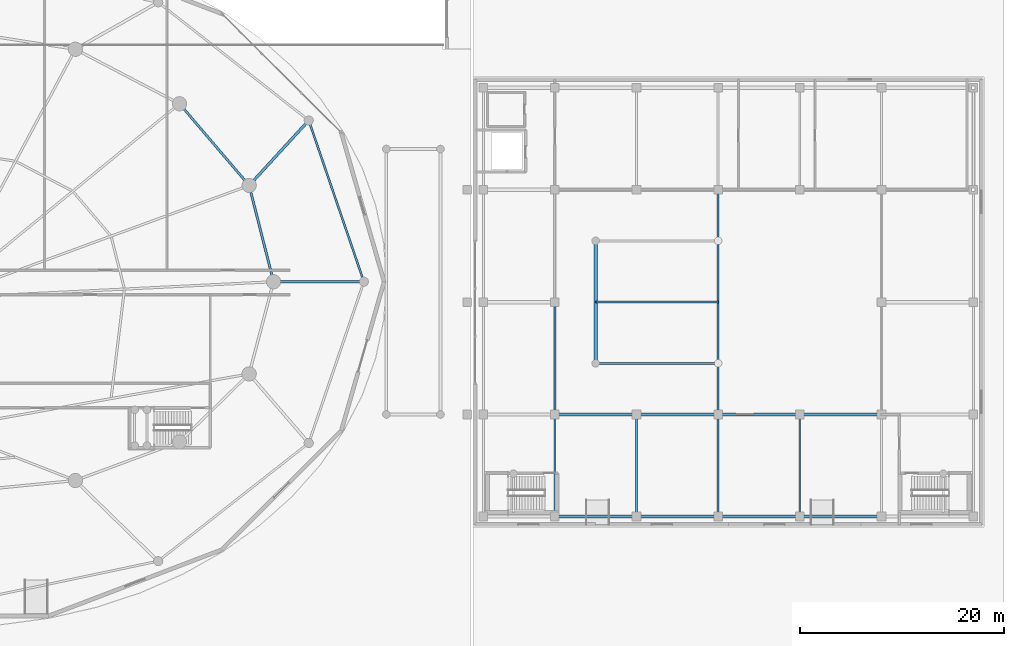
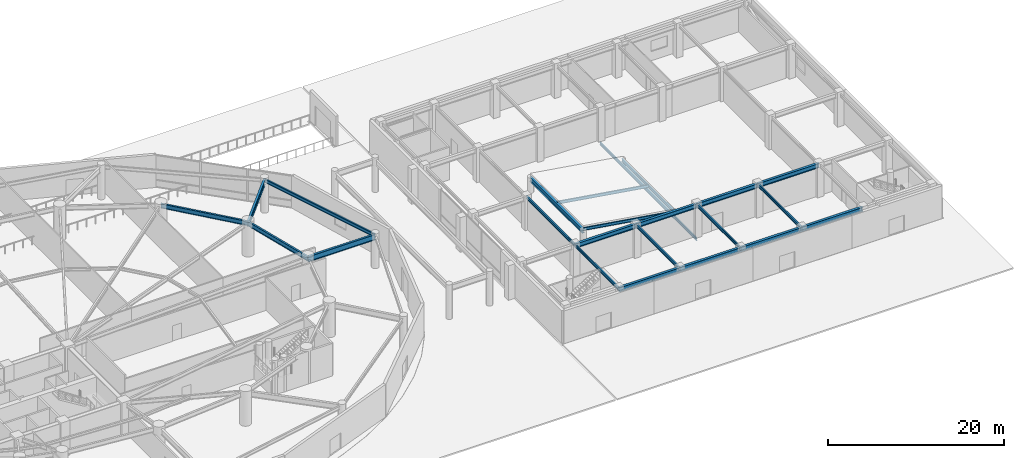
# One storey, part 11 of 35: 23 beams.
"""IFC4 building model written with IfcOpenShell, lengths in metres."""

from ifc_helpers import new_model, si_unit, direction, frame, origin, origin_2d, place, context, subcontext, project, spatial, i_section, extrude, material, material_profile, profile_set, type_object, element, save


model = new_model("IFC4")

# Units and contexts
model_context = context("Model", 3, precision=1e-05, world=origin(), true_north=direction((0.0, 1.0)))
body_context = subcontext(model_context, "Body", "Model", "MODEL_VIEW")
ifc_project = project(units=[si_unit("LENGTHUNIT", "METRE"), si_unit("AREAUNIT", "SQUARE_METRE"), si_unit("VOLUMEUNIT", "CUBIC_METRE"), si_unit("PLANEANGLEUNIT", "RADIAN"), si_unit("MASSUNIT", "GRAM", prefix="KILO")], contexts=[model_context])

# Site, building, storey
site_placement = place(None, origin())
site = spatial("IfcSite", under=ifc_project, at=site_placement, CompositionType="ELEMENT")
building_placement = place(site_placement, origin())
building = spatial("IfcBuilding", under=site, at=building_placement, Name="Kazevale Care Tower and Concert Hall", CompositionType="ELEMENT")
storey_placement = place(building_placement, origin())
storey = spatial("IfcBuildingStorey", under=building, at=storey_placement, Name="L00", CompositionType="ELEMENT", Elevation=0.0)

# Beams
ifc_material = material(Name="Steel ASTM A572 Gr 50", Category="steel")
ifc_material_profile_1 = material_profile(ifc_material, i_section(OverallWidth=0.177978515625, OverallDepth=0.406982421875, WebThickness=0.0078125, FlangeThickness=0.0126953125, at=origin_2d()), Name="W410x60")
ifc_profile_set_1 = profile_set([ifc_material_profile_1], Name="Steel ASTM A572 Gr 50")
beam_type_1 = type_object("IfcBeamType", Name="Auditorium Raker Beam W410x60", PredefinedType="BEAM", material=ifc_profile_set_1)
beam_1_placement = place(storey_placement, frame((120.0, 30.0, 0.22998046875), z_axis=(0.0, 1.0, 0.0), x_axis=(-1.0, 0.0, 0.0)))
element("IfcBeam", 1, at=beam_1_placement, inside=storey, type_object=beam_type_1, Name="beam:L00:raker_front_hdr", PredefinedType="BEAM", context=body_context, shape_type="SweptSolid", body=[
    extrude(i_section(OverallWidth=0.177978515625, OverallDepth=0.406982421875, WebThickness=0.0078125, FlangeThickness=0.0126953125, at=origin_2d()), origin(), (0.0, 0.0, 1.0), 12.0),
])
for number, where, z_axis, x_axis, name in (
    (2, (108.0, 30.0, 2.10009765625), (0.988073278669, 0.0, -0.153984401746), (0.0, 1.0, 0.0), "beam:L00:raker:30"),
    (3, (108.0, 36.0, 2.10009765625), (0.988073278669, 0.0, -0.153984401746), (0.0, 1.0, 0.0), "beam:L00:raker:36"),
):
    element("IfcBeam", number, at=place(storey_placement, frame(where, z_axis=z_axis, x_axis=x_axis)), inside=storey, type_object=beam_type_1, Name=name, PredefinedType="BEAM", context=body_context, shape_type="SweptSolid", body=[
        extrude(i_section(OverallWidth=0.177978515625, OverallDepth=0.406982421875, WebThickness=0.0078125, FlangeThickness=0.0126953125, at=origin_2d()), origin(), (0.0, 0.0, 1.0), 12.144775390625),
    ])
ifc_material_profile_2 = material_profile(ifc_material, i_section(OverallWidth=0.323974609375, OverallDepth=0.611083984375, WebThickness=0.0126953125, FlangeThickness=0.01904296875, at=origin_2d()), Name="W610x155")
ifc_profile_set_2 = profile_set([ifc_material_profile_2], Name="Steel ASTM A572 Gr 50")
beam_type_2 = type_object("IfcBeamType", Name="Concert Hall Frame Girder W610x155", PredefinedType="BEAM", material=ifc_profile_set_2)
for number, where, z_axis, x_axis, name in (
    (4, (104.0, 15.0, 4.214599609375), (1.0, 0.0, 0.0), (0.0, 1.0, 0.0), "beam:L00:hx:104_15"),
    (5, (112.0, 15.0, 4.214599609375), (1.0, 0.0, 0.0), (0.0, 1.0, 0.0), "beam:L00:hx:112_15"),
    (6, (120.0, 15.0, 4.214599609375), (1.0, 0.0, 0.0), (0.0, 1.0, 0.0), "beam:L00:hx:120_15"),
    (7, (128.0, 15.0, 4.214599609375), (1.0, 0.0, 0.0), (0.0, 1.0, 0.0), "beam:L00:hx:128_15"),
    (8, (104.0, 25.0, 4.214599609375), (1.0, 0.0, 0.0), (0.0, 1.0, 0.0), "beam:L00:hx:104_25"),
    (9, (112.0, 25.0, 4.214599609375), (1.0, 0.0, 0.0), (0.0, 1.0, 0.0), "beam:L00:hx:112_25"),
    (10, (120.0, 25.0, 4.214599609375), (1.0, 0.0, 0.0), (0.0, 1.0, 0.0), "beam:L00:hx:120_25"),
    (11, (128.0, 25.0, 4.214599609375), (1.0, 0.0, 0.0), (0.0, 1.0, 0.0), "beam:L00:hx:128_25"),
):
    element("IfcBeam", number, at=place(storey_placement, frame(where, z_axis=z_axis, x_axis=x_axis)), inside=storey, type_object=beam_type_2, Name=name, PredefinedType="BEAM", context=body_context, shape_type="SweptSolid", body=[
        extrude(i_section(OverallWidth=0.323974609375, OverallDepth=0.611083984375, WebThickness=0.0126953125, FlangeThickness=0.01904296875, at=origin_2d()), origin(), (0.0, 0.0, 1.0), 8.0),
    ])
beam_2_placement = place(storey_placement, frame((108.0, 30.0, 1.820068359375), z_axis=(0.0, 1.0, 0.0), x_axis=(-1.0, 0.0, 0.0)))
element("IfcBeam", 12, at=beam_2_placement, inside=storey, type_object=beam_type_2, Name="beam:L00:raker_hdr", PredefinedType="BEAM", context=body_context, shape_type="SweptSolid", body=[
    extrude(i_section(OverallWidth=0.323974609375, OverallDepth=0.611083984375, WebThickness=0.0126953125, FlangeThickness=0.01904296875, at=origin_2d()), origin(), (0.0, 0.0, 1.0), 12.0),
])
ifc_material_profile_3 = material_profile(ifc_material, i_section(OverallWidth=0.180908203125, OverallDepth=0.4169921875, WebThickness=0.010986328125, FlangeThickness=0.018310546875, at=origin_2d()), Name="W410x85")
ifc_profile_set_3 = profile_set([ifc_material_profile_3], Name="Steel ASTM A572 Gr 50")
beam_type_3 = type_object("IfcBeamType", Name="Concert Hall Secondary Beam W410x85", PredefinedType="BEAM", material=ifc_profile_set_3)
beam_3_placement = place(storey_placement, frame((104.0, 15.0, 4.3115234375), z_axis=(0.0, 1.0, 0.0), x_axis=(-1.0, 0.0, 0.0)))
element("IfcBeam", 13, at=beam_3_placement, inside=storey, type_object=beam_type_3, Name="beam:L00:hy:104_15", PredefinedType="BEAM", context=body_context, shape_type="SweptSolid", body=[
    extrude(i_section(OverallWidth=0.180908203125, OverallDepth=0.4169921875, WebThickness=0.010986328125, FlangeThickness=0.018310546875, at=origin_2d()), origin(), (0.0, 0.0, 1.0), 10.0),
])
beam_4_placement = place(storey_placement, frame((104.0, 25.0, 4.3115234375), z_axis=(0.0, 1.0, 0.0), x_axis=(-1.0, 0.0, 0.0)))
element("IfcBeam", 14, at=beam_4_placement, inside=storey, type_object=beam_type_3, Name="beam:L00:hy:104_25", PredefinedType="BEAM", context=body_context, shape_type="SweptSolid", body=[
    extrude(i_section(OverallWidth=0.180908203125, OverallDepth=0.4169921875, WebThickness=0.010986328125, FlangeThickness=0.018310546875, at=origin_2d()), origin(), (0.0, 0.0, 1.0), 11.0),
])
for number, where, z_axis, x_axis, name in (
    (15, (112.0, 15.0, 4.3115234375), (0.0, 1.0, 0.0), (-1.0, 0.0, 0.0), "beam:L00:hy:112_15"),
    (16, (120.0, 15.0, 4.3115234375), (0.0, 1.0, 0.0), (-1.0, 0.0, 0.0), "beam:L00:hy:120_15"),
    (17, (128.0, 15.0, 4.3115234375), (0.0, 1.0, 0.0), (-1.0, 0.0, 0.0), "beam:L00:hy:128_15"),
):
    element("IfcBeam", number, at=place(storey_placement, frame(where, z_axis=z_axis, x_axis=x_axis)), inside=storey, type_object=beam_type_3, Name=name, PredefinedType="BEAM", context=body_context, shape_type="SweptSolid", body=[
        extrude(i_section(OverallWidth=0.180908203125, OverallDepth=0.4169921875, WebThickness=0.010986328125, FlangeThickness=0.018310546875, at=origin_2d()), origin(), (0.0, 0.0, 1.0), 10.0),
    ])
beam_5_placement = place(storey_placement, frame((120.0, 25.0, -0.5), z_axis=(0.0, 1.0, 0.0), x_axis=(-1.0, 0.0, 0.0)))
element("IfcBeam", 18, at=beam_5_placement, inside=storey, type_object=beam_type_3, Name="beam:L00:raker_foot", PredefinedType="BEAM", context=body_context, shape_type="SweptSolid", body=[
    extrude(i_section(OverallWidth=0.180908203125, OverallDepth=0.4169921875, WebThickness=0.010986328125, FlangeThickness=0.018310546875, at=origin_2d()), origin(), (0.0, 0.0, 1.0), 22.0),
])
ifc_material_profile_4 = material_profile(ifc_material, i_section(OverallWidth=0.194091796875, OverallDepth=0.468994140625, WebThickness=0.0126953125, FlangeThickness=0.0205078125, at=origin_2d()), Name="W460x106")
ifc_profile_set_4 = profile_set([ifc_material_profile_4], Name="Steel ASTM A572 Gr 50")
beam_type_4 = type_object("IfcBeamType", Name="Podium Floor Beam W460x106", PredefinedType="BEAM", material=ifc_profile_set_4)
beam_6_placement = place(storey_placement, frame((85.300048828125, 38.0, 4.285400390625), z_axis=(-0.323412440773, 0.946258100707, 0.0), x_axis=(-0.946258100707, -0.323412440773, 0.0)))
element("IfcBeam", 19, at=beam_6_placement, inside=storey, type_object=beam_type_4, Name="beam:L00:podring:01", PredefinedType="BEAM", context=body_context, shape_type="SweptSolid", body=[
    extrude(i_section(OverallWidth=0.194091796875, OverallDepth=0.468994140625, WebThickness=0.0126953125, FlangeThickness=0.0205078125, at=origin_2d()), origin(), (0.0, 0.0, 1.0), 16.697509765625),
])
ifc_material_profile_5 = material_profile(ifc_material, i_section(OverallWidth=0.26806640625, OverallDepth=0.77001953125, WebThickness=0.015625, FlangeThickness=0.025390625, at=origin_2d()), Name="W760x196")
ifc_profile_set_5 = profile_set([ifc_material_profile_5], Name="Steel ASTM A572 Gr 50")
beam_type_5 = type_object("IfcBeamType", Name="Podium Primary Girder W760x196", PredefinedType="BEAM", material=ifc_profile_set_5)
beam_7_placement = place(storey_placement, frame((76.449951171875, 38.0, 4.135009765625), z_axis=(1.0, 0.0, 0.0), x_axis=(0.0, 1.0, 0.0)))
element("IfcBeam", 20, at=beam_7_placement, inside=storey, type_object=beam_type_5, Name="beam:L00:podrad:01", PredefinedType="BEAM", context=body_context, shape_type="SweptSolid", body=[
    extrude(i_section(OverallWidth=0.26806640625, OverallDepth=0.77001953125, WebThickness=0.015625, FlangeThickness=0.025390625, at=origin_2d()), origin(), (0.0, 0.0, 1.0), 8.85009765625),
])
beam_8_placement = place(storey_placement, frame((74.06005859375, 47.429931640625, 4.135009765625), z_axis=(0.675760447671, 0.737121304375, 0.0), x_axis=(-0.737121304375, 0.675760447671, 0.0)))
element("IfcBeam", 21, at=beam_8_placement, inside=storey, type_object=beam_type_5, Name="beam:L00:podrad:02", PredefinedType="BEAM", context=body_context, shape_type="SweptSolid", body=[
    extrude(i_section(OverallWidth=0.26806640625, OverallDepth=0.77001953125, WebThickness=0.015625, FlangeThickness=0.025390625, at=origin_2d()), origin(), (0.0, 0.0, 1.0), 8.641845703125),
])
ifc_material_profile_6 = material_profile(ifc_material, i_section(OverallWidth=0.22900390625, OverallDepth=0.612060546875, WebThickness=0.011962890625, FlangeThickness=0.01953125, at=origin_2d()), Name="W610x125")
ifc_profile_set_6 = profile_set([ifc_material_profile_6], Name="Steel ASTM A572 Gr 50")
beam_type_6 = type_object("IfcBeamType", Name="Ring Spandrel Beam W610x125", PredefinedType="SPANDREL", material=ifc_profile_set_6)
beam_9_placement = place(storey_placement, frame((76.449951171875, 38.0, 4.214111328125), z_axis=(-0.245669948409, 0.969353535326, 0.0), x_axis=(-0.969353535326, -0.245669948409, 0.0)))
element("IfcBeam", 22, at=beam_9_placement, inside=storey, type_object=beam_type_6, Name="beam:L00:ring:01", PredefinedType="SPANDREL", context=body_context, shape_type="SweptSolid", body=[
    extrude(i_section(OverallWidth=0.22900390625, OverallDepth=0.612060546875, WebThickness=0.011962890625, FlangeThickness=0.01953125, at=origin_2d()), origin(), (0.0, 0.0, 1.0), 9.72802734375),
])
beam_10_placement = place(storey_placement, frame((74.06005859375, 47.429931640625, 4.214111328125), z_axis=(-0.648756004283, 0.760996482848, 0.0), x_axis=(-0.760996482848, -0.648756004283, 0.0)))
element("IfcBeam", 23, at=beam_10_placement, inside=storey, type_object=beam_type_6, Name="beam:L00:ring:02", PredefinedType="SPANDREL", context=body_context, shape_type="SweptSolid", body=[
    extrude(i_section(OverallWidth=0.22900390625, OverallDepth=0.612060546875, WebThickness=0.011962890625, FlangeThickness=0.01953125, at=origin_2d()), origin(), (0.0, 0.0, 1.0), 10.512451171875),
])

save(model, "model.ifc")
